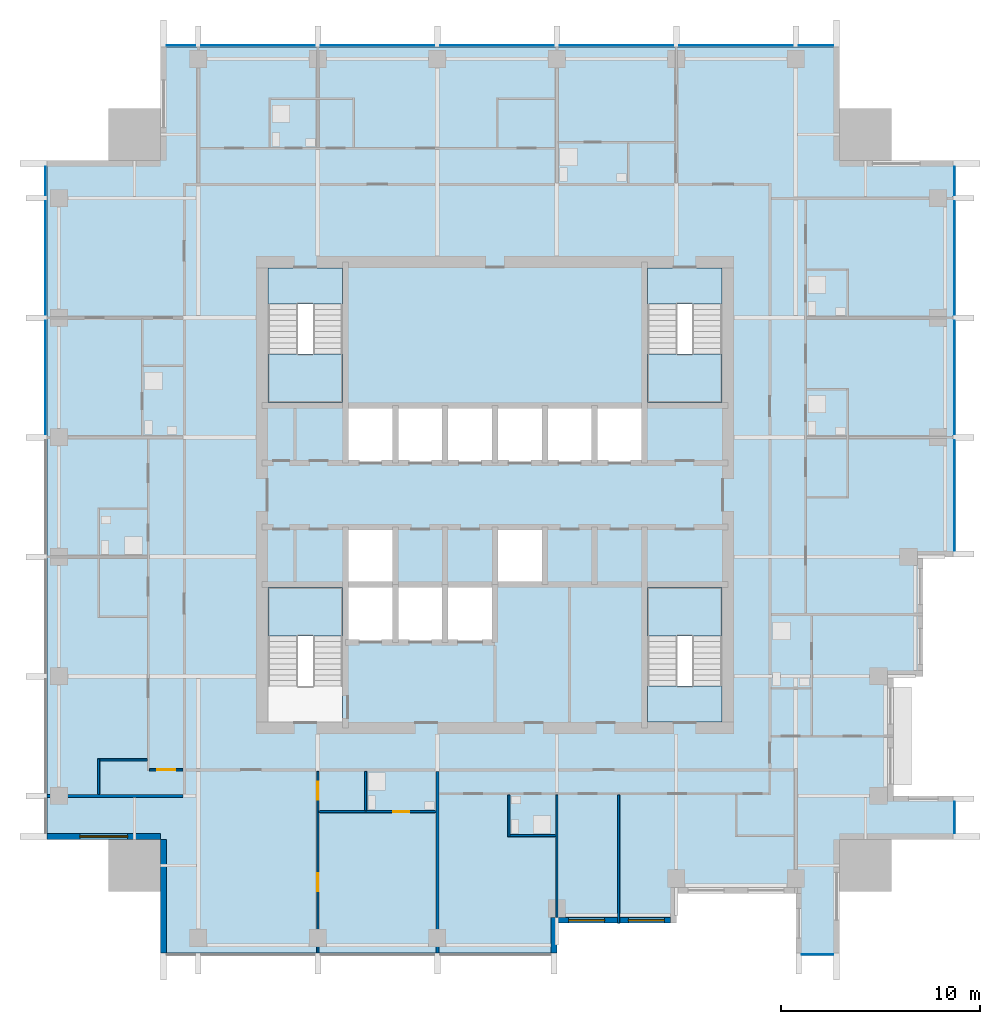
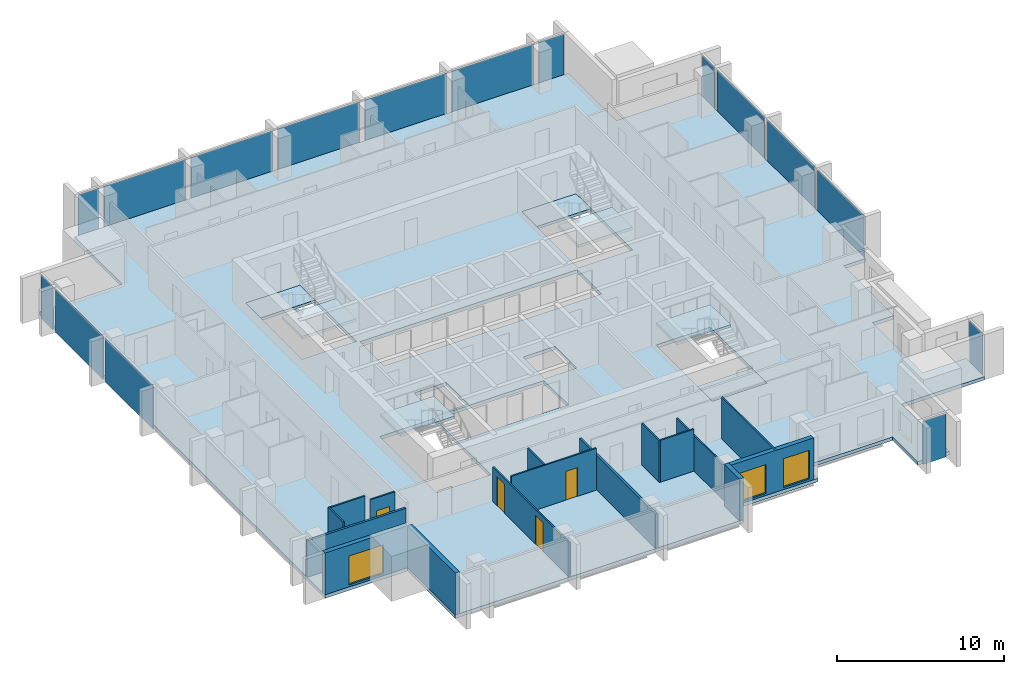
# One storey, part 3 of 10: 16 plates, 16 walls, 8 slabs, 4 doors, 3 windows, 7 openings, 9 elements without a shape of their own.
"""IFC4 building model written with IfcOpenShell, lengths in metres."""

from ifc_helpers import new_model, si_unit, direction, frame, frame_2d, origin, origin_2d, place, context, subcontext, project, spatial, polyline, rectangle, outline, extrude, material, layer, layer_set, type_object, element, fill, aggregate, save


model = new_model("IFC4")

# Units and contexts
model_context = context("Model", 3, precision=1e-05, world=origin(), true_north=direction((0.0, 1.0)))
body_context = subcontext(model_context, "Body", "Model", "MODEL_VIEW")
ifc_project = project(units=[si_unit("LENGTHUNIT", "METRE"), si_unit("AREAUNIT", "SQUARE_METRE"), si_unit("VOLUMEUNIT", "CUBIC_METRE"), si_unit("PLANEANGLEUNIT", "RADIAN"), si_unit("MASSUNIT", "GRAM", prefix="KILO")], contexts=[model_context])

# Site, building, storey
site_placement = place(None, origin())
site = spatial("IfcSite", under=ifc_project, at=site_placement, CompositionType="ELEMENT")
building_placement = place(site_placement, origin())
building = spatial("IfcBuilding", under=site, at=building_placement, Name="Amberfall Residences", CompositionType="ELEMENT")
storey_placement = place(building_placement, frame((0.0, 0.0, 190.300048828125)))
storey = spatial("IfcBuildingStorey", under=building, at=storey_placement, Name="L50", CompositionType="ELEMENT", Elevation=190.300048828125)

# Curtain wall, plate
ifc_material_1 = material(Name="Bronze anodised aluminium and glass", Category="aluminium")
curtain_wall_type = type_object("IfcCurtainWallType", Name="Curtain wall CW1 tower unit", PredefinedType="USERDEFINED", material=ifc_material_1)
curtain_wall_1_placement = place(storey_placement, origin())
curtain_wall_1 = element("IfcCurtainWall", 1, at=curtain_wall_1_placement, inside=storey, type_object=curtain_wall_type, Name="Curtain wall L50 S S7", ObjectType="UNITISED CURTAIN WALL", PredefinedType="USERDEFINED")
ifc_material_2 = material(Name="Tinted double glazed unit", Category="glass")
ifc_layer_1 = layer(ifc_material_2, 0.035888671875)
ifc_layer_set_1 = layer_set([ifc_layer_1], Name="CW1 panel 36 glazing")
plate_type = type_object("IfcPlateType", Name="CW1 panel 36 glazing", PredefinedType="CURTAIN_PANEL", material=ifc_layer_set_1)
plate_1_placement = place(storey_placement, frame((90.699951171875, 22.425048828125, -0.25), z_axis=(0.0, 0.0, 1.0), x_axis=(1.0, 0.0, 0.0)))
plate_1 = element("IfcPlate", 2, at=plate_1_placement, type_object=plate_type, Name="CW1 panel 1.1", PredefinedType="CURTAIN_PANEL", context=body_context, shape_type="SweptSolid", body=[
    extrude(rectangle(XDim=1.575927734375, YDim=0.035888671875, at=origin_2d()), origin(), (0.0, 0.0, 1.0), 3.14990234375),
])
aggregate(curtain_wall_1, [plate_1])

curtain_wall_2_placement = place(storey_placement, origin())
curtain_wall_2 = element("IfcCurtainWall", 3, at=curtain_wall_2_placement, inside=storey, type_object=curtain_wall_type, Name="Curtain wall L50 E E1", ObjectType="UNITISED CURTAIN WALL", PredefinedType="USERDEFINED")
plate_2_placement = place(storey_placement, frame((97.574951171875, 29.300048828125, -0.25), z_axis=(0.0, 0.0, 1.0), x_axis=(0.0, 1.0, 0.0)))
plate_2 = element("IfcPlate", 4, at=plate_2_placement, type_object=plate_type, Name="CW1 panel 1.1", PredefinedType="CURTAIN_PANEL", context=body_context, shape_type="SweptSolid", body=[
    extrude(rectangle(XDim=1.575927734375, YDim=0.035888671875, at=origin_2d()), origin(), (0.0, 0.0, 1.0), 3.14990234375),
])
aggregate(curtain_wall_2, [plate_2])

# Curtain wall, plates
curtain_wall_3_placement = place(storey_placement, origin())
curtain_wall_3 = element("IfcCurtainWall", 5, at=curtain_wall_3_placement, inside=storey, type_object=curtain_wall_type, Name="Curtain wall L50 E E7", ObjectType="UNITISED CURTAIN WALL", PredefinedType="USERDEFINED")
plate_3_placement = place(storey_placement, frame((97.574951171875, 45.47509765625, -0.25), z_axis=(0.0, 0.0, 1.0), x_axis=(0.0, 1.0, 0.0)))
plate_3 = element("IfcPlate", 6, at=plate_3_placement, type_object=plate_type, Name="CW1 panel 1.1", PredefinedType="CURTAIN_PANEL", context=body_context, shape_type="SweptSolid", body=[
    extrude(rectangle(XDim=5.52587890625, YDim=0.035888671875, at=origin_2d()), origin(), (0.0, 0.0, 1.0), 3.14990234375),
])
plate_4_placement = place(storey_placement, frame((97.574951171875, 51.39990234375, -0.25), z_axis=(0.0, 0.0, 1.0), x_axis=(0.0, 1.0, 0.0)))
plate_4 = element("IfcPlate", 7, at=plate_4_placement, type_object=plate_type, Name="CW1 panel 2.1", PredefinedType="CURTAIN_PANEL", context=body_context, shape_type="SweptSolid", body=[
    extrude(rectangle(XDim=5.676025390625, YDim=0.035888671875, at=origin_2d()), origin(), (0.0, 0.0, 1.0), 3.14990234375),
])
plate_5_placement = place(storey_placement, frame((97.574951171875, 57.39990234375, -0.25), z_axis=(0.0, 0.0, 1.0), x_axis=(0.0, 1.0, 0.0)))
plate_5 = element("IfcPlate", 8, at=plate_5_placement, type_object=plate_type, Name="CW1 panel 3.1", PredefinedType="CURTAIN_PANEL", context=body_context, shape_type="SweptSolid", body=[
    extrude(rectangle(XDim=5.676025390625, YDim=0.035888671875, at=origin_2d()), origin(), (0.0, 0.0, 1.0), 3.14990234375),
])
plate_6_placement = place(storey_placement, frame((97.574951171875, 61.27490234375, -0.25), z_axis=(0.0, 0.0, 1.0), x_axis=(0.0, 1.0, 0.0)))
plate_6 = element("IfcPlate", 9, at=plate_6_placement, type_object=plate_type, Name="CW1 panel 4.1", PredefinedType="CURTAIN_PANEL", context=body_context, shape_type="SweptSolid", body=[
    extrude(rectangle(XDim=1.426025390625, YDim=0.035888671875, at=origin_2d()), origin(), (0.0, 0.0, 1.0), 3.14990234375),
])
aggregate(curtain_wall_3, [plate_3, plate_4, plate_5, plate_6])

curtain_wall_4_placement = place(storey_placement, origin())
curtain_wall_4 = element("IfcCurtainWall", 10, at=curtain_wall_4_placement, inside=storey, type_object=curtain_wall_type, Name="Curtain wall L50 N N1", ObjectType="UNITISED CURTAIN WALL", PredefinedType="USERDEFINED")
plate_7_placement = place(storey_placement, frame((90.625, 68.074951171875, -0.25), z_axis=(0.0, 0.0, 1.0), x_axis=(-1.0, 0.0, 0.0)))
plate_7 = element("IfcPlate", 11, at=plate_7_placement, type_object=plate_type, Name="CW1 panel 1.1", PredefinedType="CURTAIN_PANEL", context=body_context, shape_type="SweptSolid", body=[
    extrude(rectangle(XDim=1.72607421875, YDim=0.035888671875, at=origin_2d()), origin(), (0.0, 0.0, 1.0), 3.14990234375),
])
plate_8_placement = place(storey_placement, frame((86.60009765625, 68.074951171875, -0.25), z_axis=(0.0, 0.0, 1.0), x_axis=(-1.0, 0.0, 0.0)))
plate_8 = element("IfcPlate", 12, at=plate_8_placement, type_object=plate_type, Name="CW1 panel 2.1", PredefinedType="CURTAIN_PANEL", context=body_context, shape_type="SweptSolid", body=[
    extrude(rectangle(XDim=5.676025390625, YDim=0.035888671875, at=origin_2d()), origin(), (0.0, 0.0, 1.0), 3.14990234375),
])
plate_9_placement = place(storey_placement, frame((80.60009765625, 68.074951171875, -0.25), z_axis=(0.0, 0.0, 1.0), x_axis=(-1.0, 0.0, 0.0)))
plate_9 = element("IfcPlate", 13, at=plate_9_placement, type_object=plate_type, Name="CW1 panel 3.1", PredefinedType="CURTAIN_PANEL", context=body_context, shape_type="SweptSolid", body=[
    extrude(rectangle(XDim=5.676025390625, YDim=0.035888671875, at=origin_2d()), origin(), (0.0, 0.0, 1.0), 3.14990234375),
])
plate_10_placement = place(storey_placement, frame((74.60009765625, 68.074951171875, -0.25), z_axis=(0.0, 0.0, 1.0), x_axis=(-1.0, 0.0, 0.0)))
plate_10 = element("IfcPlate", 14, at=plate_10_placement, type_object=plate_type, Name="CW1 panel 4.1", PredefinedType="CURTAIN_PANEL", context=body_context, shape_type="SweptSolid", body=[
    extrude(rectangle(XDim=5.676025390625, YDim=0.035888671875, at=origin_2d()), origin(), (0.0, 0.0, 1.0), 3.14990234375),
])
plate_11_placement = place(storey_placement, frame((68.60009765625, 68.074951171875, -0.25), z_axis=(0.0, 0.0, 1.0), x_axis=(-1.0, 0.0, 0.0)))
plate_11 = element("IfcPlate", 15, at=plate_11_placement, type_object=plate_type, Name="CW1 panel 5.1", PredefinedType="CURTAIN_PANEL", context=body_context, shape_type="SweptSolid", body=[
    extrude(rectangle(XDim=5.676025390625, YDim=0.035888671875, at=origin_2d()), origin(), (0.0, 0.0, 1.0), 3.14990234375),
])
plate_12_placement = place(storey_placement, frame((62.60009765625, 68.074951171875, -0.25), z_axis=(0.0, 0.0, 1.0), x_axis=(-1.0, 0.0, 0.0)))
plate_12 = element("IfcPlate", 16, at=plate_12_placement, type_object=plate_type, Name="CW1 panel 6.1", PredefinedType="CURTAIN_PANEL", context=body_context, shape_type="SweptSolid", body=[
    extrude(rectangle(XDim=5.676025390625, YDim=0.035888671875, at=origin_2d()), origin(), (0.0, 0.0, 1.0), 3.14990234375),
])
plate_13_placement = place(storey_placement, frame((58.72509765625, 68.074951171875, -0.25), z_axis=(0.0, 0.0, 1.0), x_axis=(-1.0, 0.0, 0.0)))
plate_13 = element("IfcPlate", 17, at=plate_13_placement, type_object=plate_type, Name="CW1 panel 7.1", PredefinedType="CURTAIN_PANEL", context=body_context, shape_type="SweptSolid", body=[
    extrude(rectangle(XDim=1.426025390625, YDim=0.035888671875, at=origin_2d()), origin(), (0.0, 0.0, 1.0), 3.14990234375),
])
aggregate(curtain_wall_4, [plate_7, plate_8, plate_9, plate_10, plate_11, plate_12, plate_13])

curtain_wall_5_placement = place(storey_placement, origin())
curtain_wall_5 = element("IfcCurtainWall", 18, at=curtain_wall_5_placement, inside=storey, type_object=curtain_wall_type, Name="Curtain wall L50 W W1", ObjectType="UNITISED CURTAIN WALL", PredefinedType="USERDEFINED")
plate_14_placement = place(storey_placement, frame((51.925048828125, 61.27490234375, -0.25), z_axis=(0.0, 0.0, 1.0), x_axis=(0.0, -1.0, 0.0)))
plate_14 = element("IfcPlate", 19, at=plate_14_placement, type_object=plate_type, Name="CW1 panel 1.1", PredefinedType="CURTAIN_PANEL", context=body_context, shape_type="SweptSolid", body=[
    extrude(rectangle(XDim=1.426025390625, YDim=0.035888671875, at=origin_2d()), origin(), (0.0, 0.0, 1.0), 3.14990234375),
])
plate_15_placement = place(storey_placement, frame((51.925048828125, 57.39990234375, -0.25), z_axis=(0.0, 0.0, 1.0), x_axis=(0.0, -1.0, 0.0)))
plate_15 = element("IfcPlate", 20, at=plate_15_placement, type_object=plate_type, Name="CW1 panel 2.1", PredefinedType="CURTAIN_PANEL", context=body_context, shape_type="SweptSolid", body=[
    extrude(rectangle(XDim=5.676025390625, YDim=0.035888671875, at=origin_2d()), origin(), (0.0, 0.0, 1.0), 3.14990234375),
])
plate_16_placement = place(storey_placement, frame((51.925048828125, 51.39990234375, -0.25), z_axis=(0.0, 0.0, 1.0), x_axis=(0.0, -1.0, 0.0)))
plate_16 = element("IfcPlate", 21, at=plate_16_placement, type_object=plate_type, Name="CW1 panel 3.1", PredefinedType="CURTAIN_PANEL", context=body_context, shape_type="SweptSolid", body=[
    extrude(rectangle(XDim=5.676025390625, YDim=0.035888671875, at=origin_2d()), origin(), (0.0, 0.0, 1.0), 3.14990234375),
])
aggregate(curtain_wall_5, [plate_14, plate_15, plate_16])

# Slab
ifc_material_3 = material(Name="Concrete C55", Category="concrete")
ifc_layer_2 = layer(ifc_material_3, 0.25)
ifc_layer_set_2 = layer_set([ifc_layer_2], Name="Floor slab 250 C55")
slab_type_1 = type_object("IfcSlabType", Name="Floor slab 250 C55", PredefinedType="FLOOR", material=ifc_layer_set_2)
slab_1_placement = place(storey_placement, frame((0.0, 0.0, -0.25)))
element("IfcSlab", 22, at=slab_1_placement, inside=storey, type_object=slab_type_1, Name="Floor slab S16 L50", PredefinedType="FLOOR", context=body_context, shape_type="SweptSolid", body=[
    extrude(outline(polyline([(89.60009765625, 22.5), (89.60009765625, 25.5), (83.60009765625, 25.5), (83.60009765625, 24.0), (77.60009765625, 24.0), (77.60009765625, 22.5), (57.699951171875, 22.5), (57.699951171875, 28.199951171875), (52.0, 28.199951171875), (52.0, 62.300048828125), (57.699951171875, 62.300048828125), (57.699951171875, 68.0), (91.800048828125, 68.0), (91.800048828125, 62.300048828125), (97.5, 62.300048828125), (97.5, 42.39990234375), (96.0, 42.39990234375), (96.0, 36.39990234375), (94.5, 36.39990234375), (94.5, 30.39990234375), (97.5, 30.39990234375), (97.5, 28.199951171875), (91.800048828125, 28.199951171875), (91.800048828125, 22.5), (89.60009765625, 22.5)]), holes=[polyline([(85.89990234375, 34.10009765625), (85.89990234375, 40.85009765625), (82.14990234375, 40.85009765625), (82.14990234375, 34.10009765625), (85.89990234375, 34.10009765625)]), polyline([(85.89990234375, 50.14990234375), (85.89990234375, 56.89990234375), (82.14990234375, 56.89990234375), (82.14990234375, 50.14990234375), (85.89990234375, 50.14990234375)]), polyline([(72.0, 50.0), (69.5, 50.0), (67.0, 50.0), (67.0, 47.10009765625), (69.5, 47.10009765625), (72.0, 47.10009765625), (74.5, 47.10009765625), (77.0, 47.10009765625), (79.5, 47.10009765625), (82.0, 47.10009765625), (82.0, 50.0), (79.5, 50.0), (77.0, 50.0), (74.5, 50.0), (72.0, 50.0)]), polyline([(76.85009765625, 41.14990234375), (76.85009765625, 43.75), (74.64990234375, 43.75), (74.64990234375, 41.14990234375), (76.85009765625, 41.14990234375)]), polyline([(69.5, 41.0), (67.0, 41.0), (67.0, 38.10009765625), (69.5, 38.10009765625), (72.0, 38.10009765625), (74.5, 38.10009765625), (74.5, 41.0), (72.0, 41.0), (69.5, 41.0)]), polyline([(69.35009765625, 41.14990234375), (69.35009765625, 43.75), (67.14990234375, 43.75), (67.14990234375, 41.14990234375), (69.35009765625, 41.14990234375)]), polyline([(66.85009765625, 50.14990234375), (66.85009765625, 56.89990234375), (63.10009765625, 56.89990234375), (63.10009765625, 50.14990234375), (66.85009765625, 50.14990234375)]), polyline([(66.85009765625, 40.85009765625), (63.10009765625, 40.85009765625), (63.10009765625, 34.10009765625), (66.85009765625, 34.10009765625), (66.85009765625, 40.85009765625)])]), origin(), (0.0, 0.0, 1.0), 0.25),
])

# Stair, slab
ifc_material_4 = material(Name="Concrete C40", Category="concrete")
stair_type = type_object("IfcStairType", Name="Exit stair 20 risers 165.0 mm", PredefinedType="HALF_TURN_STAIR", material=ifc_material_4)
stair_1_placement = place(storey_placement, origin())
stair_1 = element("IfcStair", 23, at=stair_1_placement, inside=storey, type_object=stair_type, Name="L50 Exit stair 1", PredefinedType="HALF_TURN_STAIR")
ifc_layer_3 = layer(ifc_material_4, 0.199951171875)
ifc_layer_set_3 = layer_set([ifc_layer_3], Name="Stair landing 200")
slab_type_2 = type_object("IfcSlabType", Name="Stair landing 200", PredefinedType="LANDING", material=ifc_layer_set_3)
slab_2_placement = place(storey_placement, frame((0.0, 0.0, 1.449951171875)))
slab_2 = element("IfcSlab", 24, at=slab_2_placement, type_object=slab_type_2, Name="ST3 landing 1", PredefinedType="LANDING", context=body_context, shape_type="SweptSolid", body=[
    extrude(outline(polyline([(66.85009765625, 38.419921875), (66.85009765625, 40.85009765625), (63.10009765625, 40.85009765625), (63.10009765625, 38.419921875), (66.85009765625, 38.419921875)])), origin(), (0.0, 0.0, 1.0), 0.199951171875),
])
aggregate(stair_1, [slab_2])

# Stair, slabs
stair_2_placement = place(storey_placement, origin())
stair_2 = element("IfcStair", 25, at=stair_2_placement, inside=storey, type_object=stair_type, Name="L50 Exit stair 2", PredefinedType="HALF_TURN_STAIR")
slab_3_placement = place(storey_placement, frame((0.0, 0.0, 1.449951171875)))
slab_3 = element("IfcSlab", 26, at=slab_3_placement, type_object=slab_type_2, Name="ST3 landing 1", PredefinedType="LANDING", context=body_context, shape_type="SweptSolid", body=[
    extrude(outline(polyline([(85.89990234375, 38.419921875), (85.89990234375, 40.85009765625), (82.14990234375, 40.85009765625), (82.14990234375, 38.419921875), (85.89990234375, 38.419921875)])), origin(), (0.0, 0.0, 1.0), 0.199951171875),
])
slab_4_placement = place(storey_placement, frame((0.0, 0.0, -0.199951171875)))
slab_4 = element("IfcSlab", 27, at=slab_4_placement, type_object=slab_type_2, Name="ST3 landing 2", PredefinedType="LANDING", context=body_context, shape_type="SweptSolid", body=[
    extrude(outline(polyline([(85.89990234375, 34.10009765625), (85.89990234375, 35.89990234375), (82.14990234375, 35.89990234375), (82.14990234375, 34.10009765625), (85.89990234375, 34.10009765625)])), origin(), (0.0, 0.0, 1.0), 0.199951171875),
])
aggregate(stair_2, [slab_3, slab_4])

stair_3_placement = place(storey_placement, origin())
stair_3 = element("IfcStair", 28, at=stair_3_placement, inside=storey, type_object=stair_type, Name="L50 Exit stair 3", PredefinedType="HALF_TURN_STAIR")
slab_5_placement = place(storey_placement, frame((0.0, 0.0, 1.449951171875)))
slab_5 = element("IfcSlab", 29, at=slab_5_placement, type_object=slab_type_2, Name="ST3 landing 1", PredefinedType="LANDING", context=body_context, shape_type="SweptSolid", body=[
    extrude(outline(polyline([(82.14990234375, 52.580078125), (82.14990234375, 50.14990234375), (85.89990234375, 50.14990234375), (85.89990234375, 52.580078125), (82.14990234375, 52.580078125)])), origin(), (0.0, 0.0, 1.0), 0.199951171875),
])
slab_6_placement = place(storey_placement, frame((0.0, 0.0, -0.199951171875)))
slab_6 = element("IfcSlab", 30, at=slab_6_placement, type_object=slab_type_2, Name="ST3 landing 2", PredefinedType="LANDING", context=body_context, shape_type="SweptSolid", body=[
    extrude(outline(polyline([(82.14990234375, 56.89990234375), (82.14990234375, 55.10009765625), (85.89990234375, 55.10009765625), (85.89990234375, 56.89990234375), (82.14990234375, 56.89990234375)])), origin(), (0.0, 0.0, 1.0), 0.199951171875),
])
aggregate(stair_3, [slab_5, slab_6])

stair_4_placement = place(storey_placement, origin())
stair_4 = element("IfcStair", 31, at=stair_4_placement, inside=storey, type_object=stair_type, Name="L50 Exit stair 4", PredefinedType="HALF_TURN_STAIR")
slab_7_placement = place(storey_placement, frame((0.0, 0.0, 1.449951171875)))
slab_7 = element("IfcSlab", 32, at=slab_7_placement, type_object=slab_type_2, Name="ST3 landing 1", PredefinedType="LANDING", context=body_context, shape_type="SweptSolid", body=[
    extrude(outline(polyline([(63.10009765625, 52.580078125), (63.10009765625, 50.14990234375), (66.85009765625, 50.14990234375), (66.85009765625, 52.580078125), (63.10009765625, 52.580078125)])), origin(), (0.0, 0.0, 1.0), 0.199951171875),
])
slab_8_placement = place(storey_placement, frame((0.0, 0.0, -0.199951171875)))
slab_8 = element("IfcSlab", 33, at=slab_8_placement, type_object=slab_type_2, Name="ST3 landing 2", PredefinedType="LANDING", context=body_context, shape_type="SweptSolid", body=[
    extrude(outline(polyline([(63.10009765625, 56.89990234375), (63.10009765625, 55.10009765625), (66.85009765625, 55.10009765625), (66.85009765625, 56.89990234375), (63.10009765625, 56.89990234375)])), origin(), (0.0, 0.0, 1.0), 0.199951171875),
])
aggregate(stair_4, [slab_7, slab_8])

# Wall
ifc_material_5 = material(Name="Pale stone cladding on insulated backing", Category="masonry")
ifc_layer_4 = layer(ifc_material_5, 0.300048828125)
ifc_layer_set_4 = layer_set([ifc_layer_4], Name="Bronze clad wall 300")
wall_type_1 = type_object("IfcWallType", Name="Bronze clad wall 300", PredefinedType="SOLIDWALL", material=ifc_layer_set_4)
wall_1_placement = place(storey_placement, frame((77.449951171875, 22.5, 0.0), z_axis=(0.0, 0.0, 1.0), x_axis=(0.0, 1.0, 0.0)))
element("IfcWall", 34, at=wall_1_placement, inside=storey, type_object=wall_type_1, Name="External wall L50 S", PredefinedType="SOLIDWALL", context=body_context, shape_type="SweptSolid", body=[
    extrude(rectangle(XDim=1.800048828125, YDim=0.300048828125, at=frame_2d((0.89990234375, 0.0))), origin(), (0.0, 0.0, 1.0), 3.050048828125),
])

# Wall, opening, window
wall_2_placement = place(storey_placement, frame((52.0, 28.35009765625, 0.0), z_axis=(0.0, 0.0, 1.0), x_axis=(1.0, 0.0, 0.0)))
wall_2 = element("IfcWall", 35, at=wall_2_placement, inside=storey, type_object=wall_type_1, Name="External wall L50 SW", PredefinedType="SOLIDWALL", context=body_context, shape_type="SweptSolid", body=[
    extrude(rectangle(XDim=5.699951171875, YDim=0.300048828125, at=frame_2d((2.85009765625, 0.0))), origin(), (0.0, 0.0, 1.0), 3.050048828125),
])
opening_1_placement = place(wall_2_placement, frame((1.64990234375, 0.0, 0.14990234375)))
opening_1 = element("IfcOpeningElement", 36, at=opening_1_placement, cuts=wall_2, Name="Opening WN5", PredefinedType="OPENING", context=body_context, shape_type="SweptSolid", body=[
    extrude(rectangle(XDim=2.39990234375, YDim=2.10009765625, at=frame_2d((1.199951171875, 1.050048828125))), frame((0.0, 0.159912109375, 0.0), z_axis=(0.0, -1.0, 0.0), x_axis=(1.0, 0.0, 0.0)), (0.0, 0.0, 1.0), 0.320068359375),
])
ifc_material_6 = material(Name="Bronze aluminium framed glazing", Category="aluminium")
window_type_1 = type_object("IfcWindowType", Name="Glazed opening 2400 x 2100 bronze", PartitioningType="DOUBLE_PANEL_VERTICAL", PredefinedType="WINDOW", material=ifc_material_6)
window_1_placement = place(opening_1_placement, origin())
window_1 = element("IfcWindow", 37, at=window_1_placement, inside=storey, type_object=window_type_1, Name="Window L50 SW", OverallHeight=2.10009765625, OverallWidth=2.39990234375, PartitioningType="DOUBLE_PANEL_VERTICAL", PredefinedType="WINDOW", context=body_context, shape_type="SweptSolid", body=[
    extrude(rectangle(XDim=2.39990234375, YDim=2.10009765625, at=frame_2d((1.199951171875, 1.050048828125))), frame((0.0, 0.030029296875, 0.0), z_axis=(0.0, -1.0, 0.0), x_axis=(1.0, 0.0, 0.0)), (0.0, 0.0, 1.0), 0.06005859375),
])
fill(opening_1, window_1)

# Wall
wall_3_placement = place(storey_placement, frame((57.85009765625, 28.199951171875, 0.0), z_axis=(0.0, 0.0, 1.0), x_axis=(0.0, -1.0, 0.0)))
element("IfcWall", 38, at=wall_3_placement, inside=storey, type_object=wall_type_1, Name="External wall L50 SW", PredefinedType="SOLIDWALL", context=body_context, shape_type="SweptSolid", body=[
    extrude(rectangle(XDim=5.699951171875, YDim=0.300048828125, at=frame_2d((2.85009765625, 0.0))), origin(), (0.0, 0.0, 1.0), 3.050048828125),
])

# Wall, openings, windows
wall_4_placement = place(storey_placement, frame((77.60009765625, 24.14990234375, 0.0), z_axis=(0.0, 0.0, 1.0), x_axis=(1.0, 0.0, 0.0)))
wall_4 = element("IfcWall", 39, at=wall_4_placement, inside=storey, type_object=wall_type_1, Name="Stone wall L50 S", PredefinedType="SOLIDWALL", context=body_context, shape_type="SweptSolid", body=[
    extrude(rectangle(XDim=5.699951171875, YDim=0.300048828125, at=frame_2d((2.85009765625, 0.0))), origin(), (0.0, 0.0, 1.0), 3.050048828125),
])
opening_2_placement = place(wall_4_placement, frame((0.60009765625, 0.0, 0.14990234375)))
opening_2 = element("IfcOpeningElement", 40, at=opening_2_placement, cuts=wall_4, Name="Opening WN6", PredefinedType="OPENING", context=body_context, shape_type="SweptSolid", body=[
    extrude(rectangle(XDim=1.800048828125, YDim=2.10009765625, at=frame_2d((0.89990234375, 1.050048828125))), frame((0.0, 0.159912109375, 0.0), z_axis=(0.0, -1.0, 0.0), x_axis=(1.0, 0.0, 0.0)), (0.0, 0.0, 1.0), 0.320068359375),
])
opening_3_placement = place(wall_4_placement, frame((3.60009765625, 0.0, 0.14990234375)))
opening_3 = element("IfcOpeningElement", 41, at=opening_3_placement, cuts=wall_4, Name="Opening WN6", PredefinedType="OPENING", context=body_context, shape_type="SweptSolid", body=[
    extrude(rectangle(XDim=1.800048828125, YDim=2.10009765625, at=frame_2d((0.89990234375, 1.050048828125))), frame((0.0, 0.159912109375, 0.0), z_axis=(0.0, -1.0, 0.0), x_axis=(1.0, 0.0, 0.0)), (0.0, 0.0, 1.0), 0.320068359375),
])
window_type_2 = type_object("IfcWindowType", Name="Glazed opening 1800 x 2100 bronze", PartitioningType="DOUBLE_PANEL_VERTICAL", PredefinedType="WINDOW", material=ifc_material_6)
window_2_placement = place(opening_2_placement, origin())
window_2 = element("IfcWindow", 42, at=window_2_placement, inside=storey, type_object=window_type_2, Name="Window L50 S", OverallHeight=2.10009765625, OverallWidth=1.800048828125, PartitioningType="DOUBLE_PANEL_VERTICAL", PredefinedType="WINDOW", context=body_context, shape_type="SweptSolid", body=[
    extrude(rectangle(XDim=1.800048828125, YDim=2.10009765625, at=frame_2d((0.89990234375, 1.050048828125))), frame((0.0, 0.030029296875, 0.0), z_axis=(0.0, -1.0, 0.0), x_axis=(1.0, 0.0, 0.0)), (0.0, 0.0, 1.0), 0.06005859375),
])
fill(opening_2, window_2)
window_3_placement = place(opening_3_placement, origin())
window_3 = element("IfcWindow", 43, at=window_3_placement, inside=storey, type_object=window_type_2, Name="Window L50 S", OverallHeight=2.10009765625, OverallWidth=1.800048828125, PartitioningType="DOUBLE_PANEL_VERTICAL", PredefinedType="WINDOW", context=body_context, shape_type="SweptSolid", body=[
    extrude(rectangle(XDim=1.800048828125, YDim=2.10009765625, at=frame_2d((0.89990234375, 1.050048828125))), frame((0.0, 0.030029296875, 0.0), z_axis=(0.0, -1.0, 0.0), x_axis=(1.0, 0.0, 0.0)), (0.0, 0.0, 1.0), 0.06005859375),
])
fill(opening_3, window_3)

# Wall
ifc_material_7 = material(Name="Gypsum board on metal stud")
ifc_layer_5 = layer(ifc_material_7, 0.10009765625)
ifc_layer_set_5 = layer_set([ifc_layer_5], Name="Flat partition 100")
wall_type_2 = type_object("IfcWallType", Name="Flat partition 100", PredefinedType="PARTITIONING", material=ifc_layer_set_5)
wall_5_placement = place(storey_placement, frame((54.60009765625, 30.47509765625, 0.0), z_axis=(0.0, 0.0, 1.0), x_axis=(0.0, 1.0, 0.0)))
element("IfcWall", 44, at=wall_5_placement, inside=storey, type_object=wall_type_2, Name="Partition 001", PredefinedType="PARTITIONING", context=body_context, shape_type="SweptSolid", body=[
    extrude(rectangle(XDim=1.77490234375, YDim=0.10009765625, at=frame_2d((0.887451171875, 0.0))), origin(), (0.0, 0.0, 1.0), 3.050048828125),
])

# Wall, openings, doors
wall_6_placement = place(storey_placement, frame((65.60009765625, 31.625, 0.0), z_axis=(0.0, 0.0, 1.0), x_axis=(0.0, -1.0, 0.0)))
wall_6 = element("IfcWall", 45, at=wall_6_placement, inside=storey, type_object=wall_type_2, Name="Partition 006", PredefinedType="PARTITIONING", context=body_context, shape_type="SweptSolid", body=[
    extrude(rectangle(XDim=9.125, YDim=0.10009765625, at=frame_2d((4.5625, 0.0))), origin(), (0.0, 0.0, 1.0), 2.515869140625),
])
opening_4_placement = place(wall_6_placement, frame((0.52490234375, 0.0, 0.0)))
opening_4 = element("IfcOpeningElement", 46, at=opening_4_placement, cuts=wall_6, Name="Opening D41", PredefinedType="OPENING", context=body_context, shape_type="SweptSolid", body=[
    extrude(rectangle(XDim=0.89990234375, YDim=2.10009765625, at=frame_2d((0.449951171875, 1.050048828125))), frame((0.0, 0.06005859375, 0.0), z_axis=(0.0, -1.0, 0.0), x_axis=(1.0, 0.0, 0.0)), (0.0, 0.0, 1.0), 0.1201171875),
])
opening_5_placement = place(wall_6_placement, frame((5.125, 0.0, 0.0)))
opening_5 = element("IfcOpeningElement", 47, at=opening_5_placement, cuts=wall_6, Name="Opening D41", PredefinedType="OPENING", context=body_context, shape_type="SweptSolid", body=[
    extrude(rectangle(XDim=0.89990234375, YDim=2.10009765625, at=frame_2d((0.449951171875, 1.050048828125))), frame((0.0, 0.06005859375, 0.0), z_axis=(0.0, -1.0, 0.0), x_axis=(1.0, 0.0, 0.0)), (0.0, 0.0, 1.0), 0.1201171875),
])
ifc_material_8 = material(Name="Timber", Category="wood")
door_type_1 = type_object("IfcDoorType", Name="Internal door 900 x 2100", OperationType="SINGLE_SWING_LEFT", PredefinedType="DOOR", material=ifc_material_8)
door_1_placement = place(opening_4_placement, origin())
door_1 = element("IfcDoor", 48, at=door_1_placement, inside=storey, type_object=door_type_1, Name="Door 5001 kitchen", OperationType="SINGLE_SWING_LEFT", OverallHeight=2.10009765625, OverallWidth=0.89990234375, PredefinedType="DOOR", context=body_context, shape_type="SweptSolid", body=[
    extrude(rectangle(XDim=0.89990234375, YDim=2.10009765625, at=frame_2d((0.449951171875, 1.050048828125))), frame((0.0, 0.02490234375, 0.0), z_axis=(0.0, -1.0, 0.0), x_axis=(1.0, 0.0, 0.0)), (0.0, 0.0, 1.0), 0.050048828125),
])
fill(opening_4, door_1)
door_2_placement = place(opening_5_placement, origin())
door_2 = element("IfcDoor", 49, at=door_2_placement, inside=storey, type_object=door_type_1, Name="Door 5001 bedroom1", OperationType="SINGLE_SWING_LEFT", OverallHeight=2.10009765625, OverallWidth=0.89990234375, PredefinedType="DOOR", context=body_context, shape_type="SweptSolid", body=[
    extrude(rectangle(XDim=0.89990234375, YDim=2.10009765625, at=frame_2d((0.449951171875, 1.050048828125))), frame((0.0, 0.02490234375, 0.0), z_axis=(0.0, -1.0, 0.0), x_axis=(1.0, 0.0, 0.0)), (0.0, 0.0, 1.0), 0.050048828125),
])
fill(opening_5, door_2)

# Walls
wall_7_placement = place(storey_placement, frame((68.0, 29.64990234375, 0.0), z_axis=(0.0, 0.0, 1.0), x_axis=(0.0, 1.0, 0.0)))
element("IfcWall", 50, at=wall_7_placement, inside=storey, type_object=wall_type_2, Name="Partition 009", PredefinedType="PARTITIONING", context=body_context, shape_type="SweptSolid", body=[
    extrude(rectangle(XDim=1.97509765625, YDim=0.10009765625, at=frame_2d((0.987548828125, 0.0))), origin(), (0.0, 0.0, 1.0), 3.050048828125),
])
wall_8_placement = place(storey_placement, frame((75.199951171875, 28.35009765625, 0.0), z_axis=(0.0, 0.0, 1.0), x_axis=(0.0, 1.0, 0.0)))
element("IfcWall", 51, at=wall_8_placement, inside=storey, type_object=wall_type_2, Name="Partition 011", PredefinedType="PARTITIONING", context=body_context, shape_type="SweptSolid", body=[
    extrude(rectangle(XDim=2.099853515625, YDim=0.10009765625, at=frame_2d((1.0498046875, 0.0))), origin(), (0.0, 0.0, 1.0), 3.050048828125),
])
wall_9_placement = place(storey_placement, frame((77.60009765625, 24.0, 0.0), z_axis=(0.0, 0.0, 1.0), x_axis=(0.0, 1.0, 0.0)))
element("IfcWall", 52, at=wall_9_placement, inside=storey, type_object=wall_type_2, Name="Partition 012", PredefinedType="PARTITIONING", context=body_context, shape_type="SweptSolid", body=[
    extrude(rectangle(XDim=6.449951171875, YDim=0.10009765625, at=frame_2d((3.22509765625, 0.0))), origin(), (0.0, 0.0, 1.0), 2.58984375),
])
wall_10_placement = place(storey_placement, frame((80.699951171875, 24.0, 0.0), z_axis=(0.0, 0.0, 1.0), x_axis=(0.0, 1.0, 0.0)))
element("IfcWall", 53, at=wall_10_placement, inside=storey, type_object=wall_type_2, Name="Partition 013", PredefinedType="PARTITIONING", context=body_context, shape_type="SweptSolid", body=[
    extrude(rectangle(XDim=6.449951171875, YDim=0.10009765625, at=frame_2d((3.22509765625, 0.0))), origin(), (0.0, 0.0, 1.0), 3.050048828125),
])
wall_11_placement = place(storey_placement, frame((54.64990234375, 32.199951171875, 0.0), z_axis=(0.0, 0.0, 1.0), x_axis=(1.0, 0.0, 0.0)))
element("IfcWall", 54, at=wall_11_placement, inside=storey, type_object=wall_type_2, Name="Partition 038", PredefinedType="PARTITIONING", context=body_context, shape_type="SweptSolid", body=[
    extrude(rectangle(XDim=2.400146484375, YDim=0.10009765625, at=frame_2d((1.2001953125, 0.0))), origin(), (0.0, 0.0, 1.0), 3.050048828125),
])

# Wall, opening, door
wall_12_placement = place(storey_placement, frame((58.824951171875, 31.699951171875, 0.0), z_axis=(0.0, 0.0, 1.0), x_axis=(-1.0, 0.0, 0.0)))
wall_12 = element("IfcWall", 55, at=wall_12_placement, inside=storey, type_object=wall_type_2, Name="Partition 039", PredefinedType="PARTITIONING", context=body_context, shape_type="SweptSolid", body=[
    extrude(rectangle(XDim=1.675048828125, YDim=0.10009765625, at=frame_2d((0.83740234375, 0.0))), origin(), (0.0, 0.0, 1.0), 3.050048828125),
])
opening_6_placement = place(wall_12_placement, frame((0.375, 0.0, 0.0)))
opening_6 = element("IfcOpeningElement", 56, at=opening_6_placement, cuts=wall_12, Name="Opening D41", PredefinedType="OPENING", context=body_context, shape_type="SweptSolid", body=[
    extrude(rectangle(XDim=0.89990234375, YDim=2.10009765625, at=frame_2d((0.449951171875, 1.050048828125))), frame((0.0, 0.06005859375, 0.0), z_axis=(0.0, -1.0, 0.0), x_axis=(1.0, 0.0, 0.0)), (0.0, 0.0, 1.0), 0.1201171875),
])
door_3_placement = place(opening_6_placement, origin())
door_3 = element("IfcDoor", 57, at=door_3_placement, inside=storey, type_object=door_type_1, Name="Door 5007 store", OperationType="SINGLE_SWING_LEFT", OverallHeight=2.10009765625, OverallWidth=0.89990234375, PredefinedType="DOOR", context=body_context, shape_type="SweptSolid", body=[
    extrude(rectangle(XDim=0.89990234375, YDim=2.10009765625, at=frame_2d((0.449951171875, 1.050048828125))), frame((0.0, 0.02490234375, 0.0), z_axis=(0.0, -1.0, 0.0), x_axis=(1.0, 0.0, 0.0)), (0.0, 0.0, 1.0), 0.050048828125),
])
fill(opening_6, door_3)

wall_13_placement = place(storey_placement, frame((65.64990234375, 29.60009765625, 0.0), z_axis=(0.0, 0.0, 1.0), x_axis=(1.0, 0.0, 0.0)))
wall_13 = element("IfcWall", 58, at=wall_13_placement, inside=storey, type_object=wall_type_2, Name="Partition 041", PredefinedType="PARTITIONING", context=body_context, shape_type="SweptSolid", body=[
    extrude(rectangle(XDim=5.875, YDim=0.10009765625, at=frame_2d((2.9375, 0.0))), origin(), (0.0, 0.0, 1.0), 3.050048828125),
])
opening_7_placement = place(wall_13_placement, frame((3.75, 0.0, 0.0)))
opening_7 = element("IfcOpeningElement", 59, at=opening_7_placement, cuts=wall_13, Name="Opening D42", PredefinedType="OPENING", context=body_context, shape_type="SweptSolid", body=[
    extrude(rectangle(XDim=0.800048828125, YDim=2.10009765625, at=frame_2d((0.39990234375, 1.050048828125))), frame((0.0, 0.06005859375, 0.0), z_axis=(0.0, -1.0, 0.0), x_axis=(1.0, 0.0, 0.0)), (0.0, 0.0, 1.0), 0.1201171875),
])
door_type_2 = type_object("IfcDoorType", Name="Bathroom door 800 x 2100", OperationType="SINGLE_SWING_LEFT", PredefinedType="DOOR", material=ifc_material_8)
door_4_placement = place(opening_7_placement, origin())
door_4 = element("IfcDoor", 60, at=door_4_placement, inside=storey, type_object=door_type_2, Name="Door 5001 bath1", OperationType="SINGLE_SWING_LEFT", OverallHeight=2.10009765625, OverallWidth=0.800048828125, PredefinedType="DOOR", context=body_context, shape_type="SweptSolid", body=[
    extrude(rectangle(XDim=0.800048828125, YDim=2.10009765625, at=frame_2d((0.39990234375, 1.050048828125))), frame((0.0, 0.02490234375, 0.0), z_axis=(0.0, -1.0, 0.0), x_axis=(1.0, 0.0, 0.0)), (0.0, 0.0, 1.0), 0.050048828125),
])
fill(opening_7, door_4)

# Walls
wall_14_placement = place(storey_placement, frame((75.25, 28.39990234375, 0.0), z_axis=(0.0, 0.0, 1.0), x_axis=(1.0, 0.0, 0.0)))
element("IfcWall", 61, at=wall_14_placement, inside=storey, type_object=wall_type_2, Name="Partition 042", PredefinedType="PARTITIONING", context=body_context, shape_type="SweptSolid", body=[
    extrude(rectangle(XDim=2.300048828125, YDim=0.10009765625, at=frame_2d((1.14990234375, 0.0))), origin(), (0.0, 0.0, 1.0), 3.050048828125),
])
ifc_material_9 = material(Name="Blockwork, plastered", Category="masonry")
ifc_layer_6 = layer(ifc_material_9, 0.14990234375)
ifc_layer_set_6 = layer_set([ifc_layer_6], Name="Flat separating wall 150")
wall_type_3 = type_object("IfcWallType", Name="Flat separating wall 150", PredefinedType="PARTITIONING", material=ifc_layer_set_6)
wall_15_placement = place(storey_placement, frame((71.60009765625, 22.5, 0.0), z_axis=(0.0, 0.0, 1.0), x_axis=(0.0, 1.0, 0.0)))
element("IfcWall", 62, at=wall_15_placement, inside=storey, type_object=wall_type_3, Name="Separating wall 046", PredefinedType="PARTITIONING", context=body_context, shape_type="SweptSolid", body=[
    extrude(rectangle(XDim=9.125, YDim=0.14990234375, at=frame_2d((4.5625, 0.0))), origin(), (0.0, 0.0, 1.0), 2.515869140625),
])
wall_16_placement = place(storey_placement, frame((52.0, 30.39990234375, 0.0), z_axis=(0.0, 0.0, 1.0), x_axis=(1.0, 0.0, 0.0)))
element("IfcWall", 63, at=wall_16_placement, inside=storey, type_object=wall_type_3, Name="Separating wall 055", PredefinedType="PARTITIONING", context=body_context, shape_type="SweptSolid", body=[
    extrude(rectangle(XDim=6.824951171875, YDim=0.14990234375, at=frame_2d((3.41259765625, 0.0))), origin(), (0.0, 0.0, 1.0), 2.64697265625),
])

save(model, "model.ifc")
